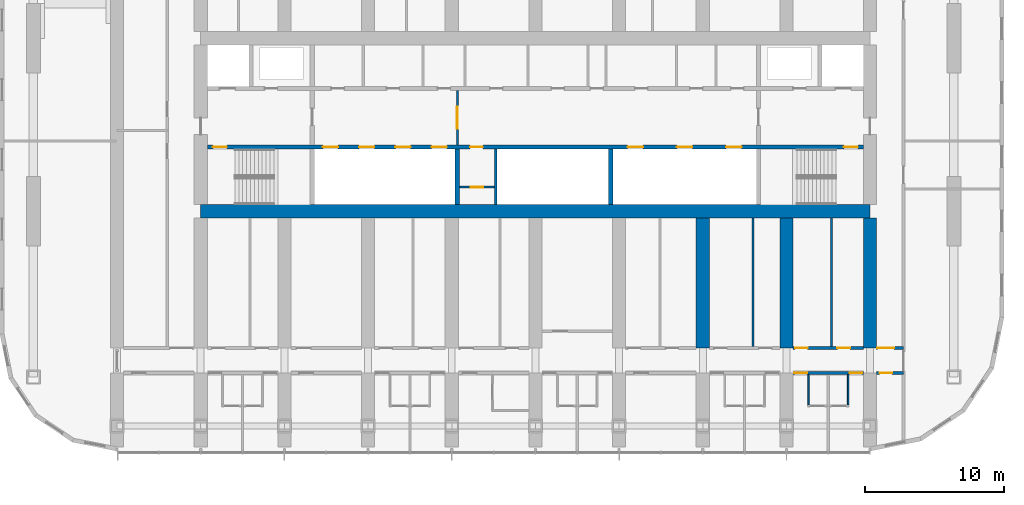
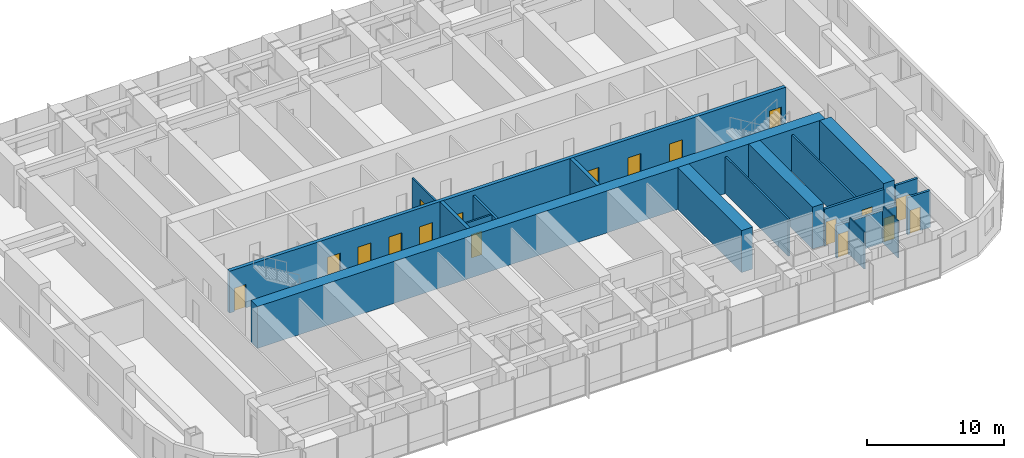
# One storey, part 11 of 21: 18 doors, 18 walls, 18 openings.
"""IFC4 building model written with IfcOpenShell, lengths in metres."""

from ifc_helpers import new_model, si_unit, direction, frame, frame_2d, origin, place, context, subcontext, project, spatial, polyline, rectangle, outline, extrude, material, layer, layer_set, type_object, element, fill, save


model = new_model("IFC4")

# Units and contexts
model_context = context("Model", 3, precision=1e-05, world=origin(), true_north=direction((0.0, 1.0)))
body_context = subcontext(model_context, "Body", "Model", "MODEL_VIEW")
ifc_project = project(units=[si_unit("LENGTHUNIT", "METRE"), si_unit("AREAUNIT", "SQUARE_METRE"), si_unit("VOLUMEUNIT", "CUBIC_METRE"), si_unit("PLANEANGLEUNIT", "RADIAN"), si_unit("MASSUNIT", "GRAM", prefix="KILO")], contexts=[model_context])

# Site, building, storey
site_placement = place(None, origin())
site = spatial("IfcSite", under=ifc_project, at=site_placement, CompositionType="ELEMENT")
building_placement = place(site_placement, origin())
building = spatial("IfcBuilding", under=site, at=building_placement, Name="Orbita Commons", CompositionType="ELEMENT")
storey_placement = place(building_placement, frame((0.0, 0.0, 95.64990234375)))
storey = spatial("IfcBuildingStorey", under=building, at=storey_placement, Name="L23", CompositionType="ELEMENT", Elevation=95.64990234375)

# Wall, openings, doors
ifc_material_1 = material(Name="Concrete C50/60", Category="concrete")
ifc_layer_1 = layer(ifc_material_1, 0.300048828125)
ifc_layer_set_1 = layer_set([ifc_layer_1], Name="Concrete C50/60")
wall_type_1 = type_object("IfcWallType", Name="Core inner wall 300 C50/60", PredefinedType="SHEAR", material=ifc_layer_set_1)
wall_1_placement = place(storey_placement, frame((18.47509765625, 30.39990234375, 0.0), z_axis=(0.0, 0.0, 1.0), x_axis=(1.0, 0.0, 0.0)))
wall_1 = element("IfcWall", 1, at=wall_1_placement, inside=storey, type_object=wall_type_1, Name="Lobby wall south L23", PredefinedType="SHEAR", context=body_context, shape_type="SweptSolid", body=[
    extrude(rectangle(XDim=47.0498046875, YDim=0.300048828125, at=frame_2d((23.52490234375, 0.0))), origin(), (0.0, 0.0, 1.0), 3.75),
])
opening_1_placement = place(wall_1_placement, frame((0.39990234375, 0.0, 0.0)))
opening_1 = element("IfcOpeningElement", 2, at=opening_1_placement, cuts=wall_1, Name="Opening D02", PredefinedType="OPENING", context=body_context, shape_type="SweptSolid", body=[
    extrude(rectangle(XDim=1.0, YDim=2.10009765625, at=frame_2d((0.5, 1.050048828125))), frame((0.0, 0.159912109375, 0.0), z_axis=(0.0, -1.0, 0.0), x_axis=(1.0, 0.0, 0.0)), (0.0, 0.0, 1.0), 0.320068359375),
])
opening_2_placement = place(wall_1_placement, frame((45.64990234375, 0.0, 0.0)))
opening_2 = element("IfcOpeningElement", 3, at=opening_2_placement, cuts=wall_1, Name="Opening D02", PredefinedType="OPENING", context=body_context, shape_type="SweptSolid", body=[
    extrude(rectangle(XDim=1.0, YDim=2.10009765625, at=frame_2d((0.5, 1.050048828125))), frame((0.0, 0.159912109375, 0.0), z_axis=(0.0, -1.0, 0.0), x_axis=(1.0, 0.0, 0.0)), (0.0, 0.0, 1.0), 0.320068359375),
])
opening_3_placement = place(wall_1_placement, frame((8.27490234375, 0.0, 0.0)))
opening_3 = element("IfcOpeningElement", 4, at=opening_3_placement, cuts=wall_1, Name="Opening LD02", PredefinedType="OPENING", context=body_context, shape_type="SweptSolid", body=[
    extrude(rectangle(XDim=1.10009765625, YDim=2.10009765625, at=frame_2d((0.550048828125, 1.050048828125))), frame((0.0, 0.159912109375, 0.0), z_axis=(0.0, -1.0, 0.0), x_axis=(1.0, 0.0, 0.0)), (0.0, 0.0, 1.0), 0.320068359375),
])
opening_4_placement = place(wall_1_placement, frame((10.875, 0.0, 0.0)))
opening_4 = element("IfcOpeningElement", 5, at=opening_4_placement, cuts=wall_1, Name="Opening LD02", PredefinedType="OPENING", context=body_context, shape_type="SweptSolid", body=[
    extrude(rectangle(XDim=1.10009765625, YDim=2.10009765625, at=frame_2d((0.550048828125, 1.050048828125))), frame((0.0, 0.159912109375, 0.0), z_axis=(0.0, -1.0, 0.0), x_axis=(1.0, 0.0, 0.0)), (0.0, 0.0, 1.0), 0.320068359375),
])
opening_5_placement = place(wall_1_placement, frame((13.47509765625, 0.0, 0.0)))
opening_5 = element("IfcOpeningElement", 6, at=opening_5_placement, cuts=wall_1, Name="Opening LD02", PredefinedType="OPENING", context=body_context, shape_type="SweptSolid", body=[
    extrude(rectangle(XDim=1.10009765625, YDim=2.10009765625, at=frame_2d((0.550048828125, 1.050048828125))), frame((0.0, 0.159912109375, 0.0), z_axis=(0.0, -1.0, 0.0), x_axis=(1.0, 0.0, 0.0)), (0.0, 0.0, 1.0), 0.320068359375),
])
opening_6_placement = place(wall_1_placement, frame((16.074951171875, 0.0, 0.0)))
opening_6 = element("IfcOpeningElement", 7, at=opening_6_placement, cuts=wall_1, Name="Opening LD02", PredefinedType="OPENING", context=body_context, shape_type="SweptSolid", body=[
    extrude(rectangle(XDim=1.10009765625, YDim=2.10009765625, at=frame_2d((0.550048828125, 1.050048828125))), frame((0.0, 0.159912109375, 0.0), z_axis=(0.0, -1.0, 0.0), x_axis=(1.0, 0.0, 0.0)), (0.0, 0.0, 1.0), 0.320068359375),
])
opening_7_placement = place(wall_1_placement, frame((18.85009765625, 0.0, 0.0)))
opening_7 = element("IfcOpeningElement", 8, at=opening_7_placement, cuts=wall_1, Name="Opening D05", PredefinedType="OPENING", context=body_context, shape_type="SweptSolid", body=[
    extrude(rectangle(XDim=0.89990234375, YDim=2.10009765625, at=frame_2d((0.449951171875, 1.050048828125))), frame((0.0, 0.159912109375, 0.0), z_axis=(0.0, -1.0, 0.0), x_axis=(1.0, 0.0, 0.0)), (0.0, 0.0, 1.0), 0.320068359375),
])
opening_8_placement = place(wall_1_placement, frame((30.1416015625, 0.0, 0.0)))
opening_8 = element("IfcOpeningElement", 9, at=opening_8_placement, cuts=wall_1, Name="Opening LD02", PredefinedType="OPENING", context=body_context, shape_type="SweptSolid", body=[
    extrude(rectangle(XDim=1.10009765625, YDim=2.10009765625, at=frame_2d((0.550048828125, 1.050048828125))), frame((0.0, 0.159912109375, 0.0), z_axis=(0.0, -1.0, 0.0), x_axis=(1.0, 0.0, 0.0)), (0.0, 0.0, 1.0), 0.320068359375),
])
opening_9_placement = place(wall_1_placement, frame((33.675048828125, 0.0, 0.0)))
opening_9 = element("IfcOpeningElement", 10, at=opening_9_placement, cuts=wall_1, Name="Opening LD02", PredefinedType="OPENING", context=body_context, shape_type="SweptSolid", body=[
    extrude(rectangle(XDim=1.10009765625, YDim=2.10009765625, at=frame_2d((0.550048828125, 1.050048828125))), frame((0.0, 0.159912109375, 0.0), z_axis=(0.0, -1.0, 0.0), x_axis=(1.0, 0.0, 0.0)), (0.0, 0.0, 1.0), 0.320068359375),
])
opening_10_placement = place(wall_1_placement, frame((37.208251953125, 0.0, 0.0)))
opening_10 = element("IfcOpeningElement", 11, at=opening_10_placement, cuts=wall_1, Name="Opening LD02", PredefinedType="OPENING", context=body_context, shape_type="SweptSolid", body=[
    extrude(rectangle(XDim=1.10009765625, YDim=2.10009765625, at=frame_2d((0.550048828125, 1.050048828125))), frame((0.0, 0.159912109375, 0.0), z_axis=(0.0, -1.0, 0.0), x_axis=(1.0, 0.0, 0.0)), (0.0, 0.0, 1.0), 0.320068359375),
])
ifc_material_2 = material(Name="Steel-faced fire door leaf", Category="steel")
door_type_1 = type_object("IfcDoorType", Name="Fire door 90 min 1000x2100", OperationType="SINGLE_SWING_LEFT", PredefinedType="DOOR", material=ifc_material_2)
door_1_placement = place(opening_1_placement, origin())
door_1 = element("IfcDoor", 12, at=door_1_placement, inside=storey, type_object=door_type_1, Name="Stair S1 door", OperationType="SINGLE_SWING_LEFT", OverallHeight=2.10009765625, OverallWidth=1.0, PredefinedType="DOOR", context=body_context, shape_type="SweptSolid", body=[
    extrude(rectangle(XDim=1.0, YDim=2.10009765625, at=frame_2d((0.5, 1.050048828125))), frame((0.0, 0.02490234375, 0.0), z_axis=(0.0, -1.0, 0.0), x_axis=(1.0, 0.0, 0.0)), (0.0, 0.0, 1.0), 0.050048828125),
])
fill(opening_1, door_1)
door_2_placement = place(opening_2_placement, origin())
door_2 = element("IfcDoor", 13, at=door_2_placement, inside=storey, type_object=door_type_1, Name="Stair S2 door", OperationType="SINGLE_SWING_LEFT", OverallHeight=2.10009765625, OverallWidth=1.0, PredefinedType="DOOR", context=body_context, shape_type="SweptSolid", body=[
    extrude(rectangle(XDim=1.0, YDim=2.10009765625, at=frame_2d((0.5, 1.050048828125))), frame((0.0, 0.02490234375, 0.0), z_axis=(0.0, -1.0, 0.0), x_axis=(1.0, 0.0, 0.0)), (0.0, 0.0, 1.0), 0.050048828125),
])
fill(opening_2, door_2)
ifc_material_3 = material(Name="Steel-faced fire door leaf", Category="steel")
door_type_2 = type_object("IfcDoorType", Name="Lift landing door 1100x2100", OperationType="DOUBLE_DOOR_SLIDING", PredefinedType="DOOR", material=ifc_material_3)
door_3_placement = place(opening_3_placement, origin())
door_3 = element("IfcDoor", 14, at=door_3_placement, inside=storey, type_object=door_type_2, Name="Lift P21 landing door", OperationType="DOUBLE_DOOR_SLIDING", OverallHeight=2.10009765625, OverallWidth=1.10009765625, PredefinedType="DOOR", context=body_context, shape_type="SweptSolid", body=[
    extrude(rectangle(XDim=1.10009765625, YDim=2.10009765625, at=frame_2d((0.550048828125, 1.050048828125))), frame((0.0, 0.02490234375, 0.0), z_axis=(0.0, -1.0, 0.0), x_axis=(1.0, 0.0, 0.0)), (0.0, 0.0, 1.0), 0.050048828125),
])
fill(opening_3, door_3)
door_4_placement = place(opening_4_placement, origin())
door_4 = element("IfcDoor", 15, at=door_4_placement, inside=storey, type_object=door_type_2, Name="Lift P22 landing door", OperationType="DOUBLE_DOOR_SLIDING", OverallHeight=2.10009765625, OverallWidth=1.10009765625, PredefinedType="DOOR", context=body_context, shape_type="SweptSolid", body=[
    extrude(rectangle(XDim=1.10009765625, YDim=2.10009765625, at=frame_2d((0.550048828125, 1.050048828125))), frame((0.0, 0.02490234375, 0.0), z_axis=(0.0, -1.0, 0.0), x_axis=(1.0, 0.0, 0.0)), (0.0, 0.0, 1.0), 0.050048828125),
])
fill(opening_4, door_4)
door_5_placement = place(opening_5_placement, origin())
door_5 = element("IfcDoor", 16, at=door_5_placement, inside=storey, type_object=door_type_2, Name="Lift P23 landing door", OperationType="DOUBLE_DOOR_SLIDING", OverallHeight=2.10009765625, OverallWidth=1.10009765625, PredefinedType="DOOR", context=body_context, shape_type="SweptSolid", body=[
    extrude(rectangle(XDim=1.10009765625, YDim=2.10009765625, at=frame_2d((0.550048828125, 1.050048828125))), frame((0.0, 0.02490234375, 0.0), z_axis=(0.0, -1.0, 0.0), x_axis=(1.0, 0.0, 0.0)), (0.0, 0.0, 1.0), 0.050048828125),
])
fill(opening_5, door_5)
door_6_placement = place(opening_6_placement, origin())
door_6 = element("IfcDoor", 17, at=door_6_placement, inside=storey, type_object=door_type_2, Name="Lift P24 landing door", OperationType="DOUBLE_DOOR_SLIDING", OverallHeight=2.10009765625, OverallWidth=1.10009765625, PredefinedType="DOOR", context=body_context, shape_type="SweptSolid", body=[
    extrude(rectangle(XDim=1.10009765625, YDim=2.10009765625, at=frame_2d((0.550048828125, 1.050048828125))), frame((0.0, 0.02490234375, 0.0), z_axis=(0.0, -1.0, 0.0), x_axis=(1.0, 0.0, 0.0)), (0.0, 0.0, 1.0), 0.050048828125),
])
fill(opening_6, door_6)
door_7_placement = place(opening_8_placement, origin())
door_7 = element("IfcDoor", 18, at=door_7_placement, inside=storey, type_object=door_type_2, Name="Lift SV1 landing door", OperationType="DOUBLE_DOOR_SLIDING", OverallHeight=2.10009765625, OverallWidth=1.10009765625, PredefinedType="DOOR", context=body_context, shape_type="SweptSolid", body=[
    extrude(rectangle(XDim=1.10009765625, YDim=2.10009765625, at=frame_2d((0.550048828125, 1.050048828125))), frame((0.0, 0.02490234375, 0.0), z_axis=(0.0, -1.0, 0.0), x_axis=(1.0, 0.0, 0.0)), (0.0, 0.0, 1.0), 0.050048828125),
])
fill(opening_8, door_7)
door_8_placement = place(opening_9_placement, origin())
door_8 = element("IfcDoor", 19, at=door_8_placement, inside=storey, type_object=door_type_2, Name="Lift SV2 landing door", OperationType="DOUBLE_DOOR_SLIDING", OverallHeight=2.10009765625, OverallWidth=1.10009765625, PredefinedType="DOOR", context=body_context, shape_type="SweptSolid", body=[
    extrude(rectangle(XDim=1.10009765625, YDim=2.10009765625, at=frame_2d((0.550048828125, 1.050048828125))), frame((0.0, 0.02490234375, 0.0), z_axis=(0.0, -1.0, 0.0), x_axis=(1.0, 0.0, 0.0)), (0.0, 0.0, 1.0), 0.050048828125),
])
fill(opening_9, door_8)
door_9_placement = place(opening_10_placement, origin())
door_9 = element("IfcDoor", 20, at=door_9_placement, inside=storey, type_object=door_type_2, Name="Lift SV3 landing door", OperationType="DOUBLE_DOOR_SLIDING", OverallHeight=2.10009765625, OverallWidth=1.10009765625, PredefinedType="DOOR", context=body_context, shape_type="SweptSolid", body=[
    extrude(rectangle(XDim=1.10009765625, YDim=2.10009765625, at=frame_2d((0.550048828125, 1.050048828125))), frame((0.0, 0.02490234375, 0.0), z_axis=(0.0, -1.0, 0.0), x_axis=(1.0, 0.0, 0.0)), (0.0, 0.0, 1.0), 0.050048828125),
])
fill(opening_10, door_9)
ifc_material_4 = material(Name="Steel-faced fire door leaf", Category="steel")
door_type_3 = type_object("IfcDoorType", Name="Service door 20 min 900x2100", OperationType="SINGLE_SWING_LEFT", PredefinedType="DOOR", material=ifc_material_4)
door_10_placement = place(opening_7_placement, origin())
door_10 = element("IfcDoor", 21, at=door_10_placement, inside=storey, type_object=door_type_3, Name="Staff WC door", OperationType="SINGLE_SWING_LEFT", OverallHeight=2.10009765625, OverallWidth=0.89990234375, PredefinedType="DOOR", context=body_context, shape_type="SweptSolid", body=[
    extrude(rectangle(XDim=0.89990234375, YDim=2.10009765625, at=frame_2d((0.449951171875, 1.050048828125))), frame((0.0, 0.02490234375, 0.0), z_axis=(0.0, -1.0, 0.0), x_axis=(1.0, 0.0, 0.0)), (0.0, 0.0, 1.0), 0.050048828125),
])
fill(opening_7, door_10)

# Walls
for number, where, z_axis, x_axis, name in (
    (22, (36.39990234375, 26.27490234375, 0.0), (0.0, 0.0, 1.0), (0.0, 1.0, 0.0), "Hoistway division wall L23"),
    (23, (47.39990234375, 26.27490234375, 0.0), (0.0, 0.0, 1.0), (0.0, 1.0, 0.0), "Hoistway division wall L23"),
):
    element("IfcWall", number, at=place(storey_placement, frame(where, z_axis=z_axis, x_axis=x_axis)), inside=storey, type_object=wall_type_1, Name=name, PredefinedType="SHEAR", context=body_context, shape_type="SweptSolid", body=[
        extrude(rectangle(XDim=3.97509765625, YDim=0.300048828125, at=frame_2d((1.987548828125, 0.0))), origin(), (0.0, 0.0, 1.0), 3.75),
    ])

# Wall, opening, door
ifc_material_5 = material(Name="Concrete blockwork", Category="masonry")
ifc_layer_2 = layer(ifc_material_5, 0.14990234375)
ifc_layer_set_2 = layer_set([ifc_layer_2], Name="Concrete blockwork")
wall_type_2 = type_object("IfcWallType", Name="Core partition 150 blockwork", PredefinedType="SOLIDWALL", material=ifc_layer_set_2)
wall_2_placement = place(storey_placement, frame((36.39990234375, 30.550048828125, 0.0), z_axis=(0.0, 0.0, 1.0), x_axis=(0.0, 1.0, 0.0)))
wall_2 = element("IfcWall", 24, at=wall_2_placement, inside=storey, type_object=wall_type_2, Name="Core partition 150 blockwork L23", PredefinedType="SOLIDWALL", context=body_context, shape_type="SweptSolid", body=[
    extrude(rectangle(XDim=3.89990234375, YDim=0.14990234375, at=frame_2d((1.949951171875, 0.0))), origin(), (0.0, 0.0, 1.0), 3.300048828125),
])
opening_11_placement = place(wall_2_placement, frame((1.14990234375, 0.0, 0.0)))
opening_11 = element("IfcOpeningElement", 25, at=opening_11_placement, cuts=wall_2, Name="Opening D10", PredefinedType="OPENING", context=body_context, shape_type="SweptSolid", body=[
    extrude(rectangle(XDim=1.60009765625, YDim=2.10009765625, at=frame_2d((0.800048828125, 1.050048828125))), frame((0.0, 0.0849609375, 0.0), z_axis=(0.0, -1.0, 0.0), x_axis=(1.0, 0.0, 0.0)), (0.0, 0.0, 1.0), 0.169921875),
])
ifc_material_6 = material(Name="Steel-faced fire door leaf", Category="steel")
door_type_4 = type_object("IfcDoorType", Name="Double corridor door 20 min 1600x2100", OperationType="DOUBLE_DOOR_SINGLE_SWING", PredefinedType="DOOR", material=ifc_material_6)
door_11_placement = place(opening_11_placement, origin())
door_11 = element("IfcDoor", 26, at=door_11_placement, inside=storey, type_object=door_type_4, Name="Lift lobby screen doors", OperationType="DOUBLE_DOOR_SINGLE_SWING", OverallHeight=2.10009765625, OverallWidth=1.60009765625, PredefinedType="DOOR", context=body_context, shape_type="SweptSolid", body=[
    extrude(rectangle(XDim=1.60009765625, YDim=2.10009765625, at=frame_2d((0.800048828125, 1.050048828125))), frame((0.0, 0.02490234375, 0.0), z_axis=(0.0, -1.0, 0.0), x_axis=(1.0, 0.0, 0.0)), (0.0, 0.0, 1.0), 0.050048828125),
])
fill(opening_11, door_11)

wall_3_placement = place(storey_placement, frame((36.550048828125, 27.52490234375, 0.0), z_axis=(0.0, 0.0, 1.0), x_axis=(1.0, 0.0, 0.0)))
wall_3 = element("IfcWall", 27, at=wall_3_placement, inside=storey, type_object=wall_type_2, Name="Core partition 150 blockwork L23", PredefinedType="SOLIDWALL", context=body_context, shape_type="SweptSolid", body=[
    extrude(rectangle(XDim=2.5, YDim=0.14990234375, at=frame_2d((1.25, 0.0))), origin(), (0.0, 0.0, 1.0), 3.300048828125),
])
opening_12_placement = place(wall_3_placement, frame((0.800048828125, 0.0, 0.0)))
opening_12 = element("IfcOpeningElement", 28, at=opening_12_placement, cuts=wall_3, Name="Opening D05", PredefinedType="OPENING", context=body_context, shape_type="SweptSolid", body=[
    extrude(rectangle(XDim=0.89990234375, YDim=2.10009765625, at=frame_2d((0.449951171875, 1.050048828125))), frame((0.0, 0.0849609375, 0.0), z_axis=(0.0, -1.0, 0.0), x_axis=(1.0, 0.0, 0.0)), (0.0, 0.0, 1.0), 0.169921875),
])
door_12_placement = place(opening_12_placement, origin())
door_12 = element("IfcDoor", 29, at=door_12_placement, inside=storey, type_object=door_type_3, Name="Cupboard door off Staff WC", OperationType="SINGLE_SWING_LEFT", OverallHeight=2.10009765625, OverallWidth=0.89990234375, PredefinedType="DOOR", context=body_context, shape_type="SweptSolid", body=[
    extrude(rectangle(XDim=0.89990234375, YDim=2.10009765625, at=frame_2d((0.449951171875, 1.050048828125))), frame((0.0, 0.02490234375, 0.0), z_axis=(0.0, -1.0, 0.0), x_axis=(1.0, 0.0, 0.0)), (0.0, 0.0, 1.0), 0.050048828125),
])
fill(opening_12, door_12)

# Wall
ifc_material_7 = material(Name="Concrete C50/60", Category="concrete")
ifc_layer_3 = layer(ifc_material_7, 0.949951171875)
ifc_layer_set_3 = layer_set([ifc_layer_3], Name="Concrete C50/60")
wall_type_3 = type_object("IfcWallType", Name="Core wall 950 C50/60", PredefinedType="SHEAR", material=ifc_layer_set_3)
wall_4_placement = place(storey_placement, frame((18.0, 25.800048828125, 0.0), z_axis=(0.0, 0.0, 1.0), x_axis=(1.0, 0.0, 0.0)))
element("IfcWall", 30, at=wall_4_placement, inside=storey, type_object=wall_type_3, Name="Core spine wall south L23", PredefinedType="SHEAR", context=body_context, shape_type="SweptSolid", body=[
    extrude(rectangle(XDim=48.0, YDim=0.949951171875, at=frame_2d((24.0, 0.0))), origin(), (0.0, 0.0, 1.0), 3.75),
])

# Wall, openings, doors
ifc_material_8 = material(Name="Concrete blockwork", Category="masonry")
ifc_layer_4 = layer(ifc_material_8, 0.199951171875)
ifc_layer_set_4 = layer_set([ifc_layer_4], Name="Concrete blockwork")
wall_type_4 = type_object("IfcWallType", Name="Corridor wall 200 blockwork", PredefinedType="SOLIDWALL", material=ifc_layer_set_4)
wall_5_placement = place(storey_placement, frame((60.47509765625, 14.199951171875, 0.0), z_axis=(0.0, 0.0, 1.0), x_axis=(1.0, 0.0, 0.0)))
wall_5 = element("IfcWall", 31, at=wall_5_placement, inside=storey, type_object=wall_type_4, Name="Corridor wall 200 blockwork L23", PredefinedType="SOLIDWALL", context=body_context, shape_type="SweptSolid", body=[
    extrude(outline(polyline([(0.0, 0.0), (5.0498046875, 0.0), (5.050048828125, 2.900146484375), (0.0, 2.900146484375), (0.0, 0.0)])), frame((0.0, 0.10009765625, 0.0), z_axis=(0.0, -1.0, 0.0), x_axis=(1.0, 0.0, 0.0)), (0.0, 0.0, 1.0), 0.199951171875),
])
opening_13_placement = place(wall_5_placement, frame((0.10009765625, 0.0, 0.0)))
opening_13 = element("IfcOpeningElement", 32, at=opening_13_placement, cuts=wall_5, Name="Opening D11", PredefinedType="OPENING", context=body_context, shape_type="SweptSolid", body=[
    extrude(rectangle(XDim=0.89990234375, YDim=2.10009765625, at=frame_2d((0.449951171875, 1.050048828125))), frame((0.0, 0.10986328125, 0.0), z_axis=(0.0, -1.0, 0.0), x_axis=(1.0, 0.0, 0.0)), (0.0, 0.0, 1.0), 0.219970703125),
])
opening_14_placement = place(wall_5_placement, frame((4.050048828125, 0.0, 0.0)))
opening_14 = element("IfcOpeningElement", 33, at=opening_14_placement, cuts=wall_5, Name="Opening D11", PredefinedType="OPENING", context=body_context, shape_type="SweptSolid", body=[
    extrude(rectangle(XDim=0.89990234375, YDim=2.10009765625, at=frame_2d((0.449951171875, 1.050048828125))), frame((0.0, 0.10986328125, 0.0), z_axis=(0.0, -1.0, 0.0), x_axis=(1.0, 0.0, 0.0)), (0.0, 0.0, 1.0), 0.219970703125),
])
ifc_material_9 = material(Name="Steel-faced fire door leaf", Category="steel")
door_type_5 = type_object("IfcDoorType", Name="Corridor door 20 min 900x2100", OperationType="SINGLE_SWING_LEFT", PredefinedType="DOOR", material=ifc_material_9)
door_13_placement = place(opening_13_placement, origin())
door_13 = element("IfcDoor", 34, at=door_13_placement, inside=storey, type_object=door_type_5, Name="Cluster bedroom L23-S16 door", OperationType="SINGLE_SWING_LEFT", OverallHeight=2.10009765625, OverallWidth=0.89990234375, PredefinedType="DOOR", context=body_context, shape_type="SweptSolid", body=[
    extrude(rectangle(XDim=0.89990234375, YDim=2.10009765625, at=frame_2d((0.449951171875, 1.050048828125))), frame((0.0, 0.02490234375, 0.0), z_axis=(0.0, -1.0, 0.0), x_axis=(1.0, 0.0, 0.0)), (0.0, 0.0, 1.0), 0.050048828125),
])
fill(opening_13, door_13)
door_14_placement = place(opening_14_placement, origin())
door_14 = element("IfcDoor", 35, at=door_14_placement, inside=storey, type_object=door_type_5, Name="Cluster bedroom L23-S17 door", OperationType="SINGLE_SWING_LEFT", OverallHeight=2.10009765625, OverallWidth=0.89990234375, PredefinedType="DOOR", context=body_context, shape_type="SweptSolid", body=[
    extrude(rectangle(XDim=0.89990234375, YDim=2.10009765625, at=frame_2d((0.449951171875, 1.050048828125))), frame((0.0, 0.02490234375, 0.0), z_axis=(0.0, -1.0, 0.0), x_axis=(1.0, 0.0, 0.0)), (0.0, 0.0, 1.0), 0.050048828125),
])
fill(opening_14, door_14)

# Wall, opening, door
wall_6_placement = place(storey_placement, frame((66.47509765625, 14.199951171875, 0.0), z_axis=(0.0, 0.0, 1.0), x_axis=(1.0, 0.0, 0.0)))
wall_6 = element("IfcWall", 36, at=wall_6_placement, inside=storey, type_object=wall_type_4, Name="Corridor wall 200 blockwork L23", PredefinedType="SOLIDWALL", context=body_context, shape_type="SweptSolid", body=[
    extrude(rectangle(XDim=1.9248046875, YDim=0.199951171875, at=frame_2d((0.96240234375, 0.0))), origin(), (0.0, 0.0, 1.0), 3.300048828125),
])
opening_15_placement = place(wall_6_placement, frame((0.199951171875, 0.0, 0.0)))
opening_15 = element("IfcOpeningElement", 37, at=opening_15_placement, cuts=wall_6, Name="Opening D05", PredefinedType="OPENING", context=body_context, shape_type="SweptSolid", body=[
    extrude(rectangle(XDim=0.89990234375, YDim=2.10009765625, at=frame_2d((0.449951171875, 1.050048828125))), frame((0.0, 0.10986328125, 0.0), z_axis=(0.0, -1.0, 0.0), x_axis=(1.0, 0.0, 0.0)), (0.0, 0.0, 1.0), 0.219970703125),
])
door_15_placement = place(opening_15_placement, origin())
door_15 = element("IfcDoor", 38, at=door_15_placement, inside=storey, type_object=door_type_3, Name="Linen store L23-KES door", OperationType="SINGLE_SWING_LEFT", OverallHeight=2.10009765625, OverallWidth=0.89990234375, PredefinedType="DOOR", context=body_context, shape_type="SweptSolid", body=[
    extrude(rectangle(XDim=0.89990234375, YDim=2.10009765625, at=frame_2d((0.449951171875, 1.050048828125))), frame((0.0, 0.02490234375, 0.0), z_axis=(0.0, -1.0, 0.0), x_axis=(1.0, 0.0, 0.0)), (0.0, 0.0, 1.0), 0.050048828125),
])
fill(opening_15, door_15)

# Wall, openings, doors
ifc_material_10 = material(Name="Hollow concrete block 200", Category="concrete")
ifc_layer_5 = layer(ifc_material_10, 0.199951171875)
ifc_layer_set_5 = layer_set([ifc_layer_5], Name="Hollow concrete block 200")
wall_type_5 = type_object("IfcWallType", Name="Corridor wall 200 hollow concrete block", PredefinedType="SOLIDWALL", material=ifc_layer_set_5)
wall_7_placement = place(storey_placement, frame((60.47509765625, 16.0, 0.0), z_axis=(0.0, 0.0, 1.0), x_axis=(1.0, 0.0, 0.0)))
wall_7 = element("IfcWall", 39, at=wall_7_placement, inside=storey, type_object=wall_type_5, Name="Corridor wall 200 hollow concrete block L23", PredefinedType="SOLIDWALL", context=body_context, shape_type="SweptSolid", body=[
    extrude(rectangle(XDim=5.0498046875, YDim=0.199951171875, at=frame_2d((2.52490234375, 0.0))), origin(), (0.0, 0.0, 1.0), 3.300048828125),
])
opening_16_placement = place(wall_7_placement, frame((0.14990234375, 0.0, 0.0)))
opening_16 = element("IfcOpeningElement", 40, at=opening_16_placement, cuts=wall_7, Name="Opening D11", PredefinedType="OPENING", context=body_context, shape_type="SweptSolid", body=[
    extrude(rectangle(XDim=0.89990234375, YDim=2.10009765625, at=frame_2d((0.449951171875, 1.050048828125))), frame((0.0, 0.10986328125, 0.0), z_axis=(0.0, -1.0, 0.0), x_axis=(1.0, 0.0, 0.0)), (0.0, 0.0, 1.0), 0.219970703125),
])
opening_17_placement = place(wall_7_placement, frame((3.18505859375, 0.0, 0.0)))
opening_17 = element("IfcOpeningElement", 41, at=opening_17_placement, cuts=wall_7, Name="Opening D11", PredefinedType="OPENING", context=body_context, shape_type="SweptSolid", body=[
    extrude(rectangle(XDim=0.89990234375, YDim=2.10009765625, at=frame_2d((0.449951171875, 1.050048828125))), frame((0.0, 0.10986328125, 0.0), z_axis=(0.0, -1.0, 0.0), x_axis=(1.0, 0.0, 0.0)), (0.0, 0.0, 1.0), 0.219970703125),
])
door_16_placement = place(opening_16_placement, origin())
door_16 = element("IfcDoor", 42, at=door_16_placement, inside=storey, type_object=door_type_5, Name="Parcel and post room L23-BDS60 door", OperationType="SINGLE_SWING_LEFT", OverallHeight=2.10009765625, OverallWidth=0.89990234375, PredefinedType="DOOR", context=body_context, shape_type="SweptSolid", body=[
    extrude(rectangle(XDim=0.89990234375, YDim=2.10009765625, at=frame_2d((0.449951171875, 1.050048828125))), frame((0.0, 0.02490234375, 0.0), z_axis=(0.0, -1.0, 0.0), x_axis=(1.0, 0.0, 0.0)), (0.0, 0.0, 1.0), 0.050048828125),
])
fill(opening_16, door_16)
door_17_placement = place(opening_17_placement, origin())
door_17 = element("IfcDoor", 43, at=door_17_placement, inside=storey, type_object=door_type_5, Name="Sprinkler valve room L23-BDS60n door", OperationType="SINGLE_SWING_LEFT", OverallHeight=2.10009765625, OverallWidth=0.89990234375, PredefinedType="DOOR", context=body_context, shape_type="SweptSolid", body=[
    extrude(rectangle(XDim=0.89990234375, YDim=2.10009765625, at=frame_2d((0.449951171875, 1.050048828125))), frame((0.0, 0.02490234375, 0.0), z_axis=(0.0, -1.0, 0.0), x_axis=(1.0, 0.0, 0.0)), (0.0, 0.0, 1.0), 0.050048828125),
])
fill(opening_17, door_17)

# Wall, opening, door
wall_8_placement = place(storey_placement, frame((66.47509765625, 16.0, 0.0), z_axis=(0.0, 0.0, 1.0), x_axis=(1.0, 0.0, 0.0)))
wall_8 = element("IfcWall", 44, at=wall_8_placement, inside=storey, type_object=wall_type_5, Name="Corridor wall 200 hollow concrete block L23", PredefinedType="SOLIDWALL", context=body_context, shape_type="SweptSolid", body=[
    extrude(rectangle(XDim=1.9248046875, YDim=0.199951171875, at=frame_2d((0.96240234375, 0.0))), origin(), (0.0, 0.0, 1.0), 3.300048828125),
])
opening_18_placement = place(wall_8_placement, frame((0.050048828125, 0.0, 0.0)))
opening_18 = element("IfcOpeningElement", 45, at=opening_18_placement, cuts=wall_8, Name="Opening D12", PredefinedType="OPENING", context=body_context, shape_type="SweptSolid", body=[
    extrude(rectangle(XDim=1.199951171875, YDim=2.10009765625, at=frame_2d((0.60009765625, 1.050048828125))), frame((0.0, 0.10986328125, 0.0), z_axis=(0.0, -1.0, 0.0), x_axis=(1.0, 0.0, 0.0)), (0.0, 0.0, 1.0), 0.219970703125),
])
ifc_material_11 = material(Name="Steel-faced fire door leaf", Category="steel")
door_type_6 = type_object("IfcDoorType", Name="Double corridor door 20 min 1200x2100", OperationType="DOUBLE_DOOR_SINGLE_SWING", PredefinedType="DOOR", material=ifc_material_11)
door_18_placement = place(opening_18_placement, origin())
door_18 = element("IfcDoor", 46, at=door_18_placement, inside=storey, type_object=door_type_6, Name="Cross corridor doors", OperationType="DOUBLE_DOOR_SINGLE_SWING", OverallHeight=2.10009765625, OverallWidth=1.199951171875, PredefinedType="DOOR", context=body_context, shape_type="SweptSolid", body=[
    extrude(rectangle(XDim=1.199951171875, YDim=2.10009765625, at=frame_2d((0.60009765625, 1.050048828125))), frame((0.0, 0.02490234375, 0.0), z_axis=(0.0, -1.0, 0.0), x_axis=(1.0, 0.0, 0.0)), (0.0, 0.0, 1.0), 0.050048828125),
])
fill(opening_18, door_18)

# Walls
ifc_material_12 = material(Name="Concrete C50/60", Category="concrete")
ifc_layer_6 = layer(ifc_material_12, 0.949951171875)
ifc_layer_set_6 = layer_set([ifc_layer_6], Name="Concrete C50/60")
wall_type_6 = type_object("IfcWallType", Name="Cross wall 950 C50/60", PredefinedType="SHEAR", material=ifc_layer_set_6)
for number, where, z_axis, x_axis, name in (
    (47, (54.0, 16.0, 0.0), (0.0, 0.0, 1.0), (0.0, 1.0, 0.0), "Cross wall 10 south inner L23"),
    (48, (60.0, 16.0, 0.0), (0.0, 0.0, 1.0), (0.0, 1.0, 0.0), "Cross wall 11 south inner L23"),
    (49, (66.0, 16.0, 0.0), (0.0, 0.0, 1.0), (0.0, 1.0, 0.0), "Cross wall 12 south inner L23"),
):
    element("IfcWall", number, at=place(storey_placement, frame(where, z_axis=z_axis, x_axis=x_axis)), inside=storey, type_object=wall_type_6, Name=name, PredefinedType="SHEAR", context=body_context, shape_type="SweptSolid", body=[
        extrude(rectangle(XDim=9.324951171875, YDim=0.949951171875, at=frame_2d((4.66259765625, 0.0))), origin(), (0.0, 0.0, 1.0), 3.75),
    ])
ifc_material_13 = material(Name="Moisture-resistant plasterboard on steel studs", Category="steel")
ifc_layer_7 = layer(ifc_material_13, 0.10009765625)
ifc_layer_set_7 = layer_set([ifc_layer_7], Name="Moisture-resistant plasterboard on steel studs")
wall_type_7 = type_object("IfcWallType", Name="En-suite partition 100", PredefinedType="PARTITIONING", material=ifc_layer_set_7)
for number, where, z_axis, x_axis, name in (
    (50, (61.574951171875, 11.890625, 0.0), (0.0, 0.0, 1.0), (0.0, 1.0, 0.0), "En-suite partition 100 L23"),
    (51, (64.425048828125, 11.890625, 0.0), (0.0, 0.0, 1.0), (0.0, 1.0, 0.0), "En-suite partition 100 L23"),
):
    element("IfcWall", number, at=place(storey_placement, frame(where, z_axis=z_axis, x_axis=x_axis)), inside=storey, type_object=wall_type_7, Name=name, PredefinedType="PARTITIONING", context=body_context, shape_type="SweptSolid", body=[
        extrude(outline(polyline([(0.0, 0.0), (2.20947265625, 0.0), (2.209228515625, 2.900146484375), (2.161376953125, 2.900146484375), (2.1591796875, 3.300048828125), (0.0, 3.300048828125), (0.0, 0.0)])), frame((0.0, 0.050048828125, 0.0), z_axis=(0.0, -1.0, 0.0), x_axis=(1.0, 0.0, 0.0)), (0.0, 0.0, 1.0), 0.10009765625),
    ])
ifc_material_14 = material(Name="Gypsum plasterboard on steel studs", Category="steel")
ifc_layer_8 = layer(ifc_material_14, 0.14990234375)
ifc_layer_set_8 = layer_set([ifc_layer_8], Name="Gypsum plasterboard on steel studs")
wall_type_8 = type_object("IfcWallType", Name="Partition 150 plasterboard", PredefinedType="PARTITIONING", material=ifc_layer_set_8)
for number, where, z_axis, x_axis, name in (
    (52, (57.614990234375, 16.10009765625, 0.0), (0.0, 0.0, 1.0), (0.0, 1.0, 0.0), "Partition 150 plasterboard L23"),
    (53, (63.235107421875, 16.10009765625, 0.0), (0.0, 0.0, 1.0), (0.0, 1.0, 0.0), "Partition 150 plasterboard L23"),
):
    element("IfcWall", number, at=place(storey_placement, frame(where, z_axis=z_axis, x_axis=x_axis)), inside=storey, type_object=wall_type_8, Name=name, PredefinedType="PARTITIONING", context=body_context, shape_type="SweptSolid", body=[
        extrude(rectangle(XDim=9.224853515625, YDim=0.14990234375, at=frame_2d((4.6123046875, 0.0))), origin(), (0.0, 0.0, 1.0), 3.300048828125),
    ])
ifc_material_15 = material(Name="Concrete blockwork, fully filled", Category="masonry")
ifc_layer_9 = layer(ifc_material_15, 0.199951171875)
ifc_layer_set_9 = layer_set([ifc_layer_9], Name="Concrete blockwork, fully filled")
wall_type_9 = type_object("IfcWallType", Name="Shaft partition 200 blockwork", PredefinedType="SOLIDWALL", material=ifc_layer_set_9)
wall_9_placement = place(storey_placement, frame((39.14990234375, 26.27490234375, 0.0), z_axis=(0.0, 0.0, 1.0), x_axis=(0.0, 1.0, 0.0)))
element("IfcWall", 54, at=wall_9_placement, inside=storey, type_object=wall_type_9, Name="Shaft partition 200 blockwork L23", PredefinedType="SOLIDWALL", context=body_context, shape_type="SweptSolid", body=[
    extrude(rectangle(XDim=3.97509765625, YDim=0.199951171875, at=frame_2d((1.987548828125, 0.0))), origin(), (0.0, 0.0, 1.0), 3.300048828125),
])

save(model, "model.ifc")
